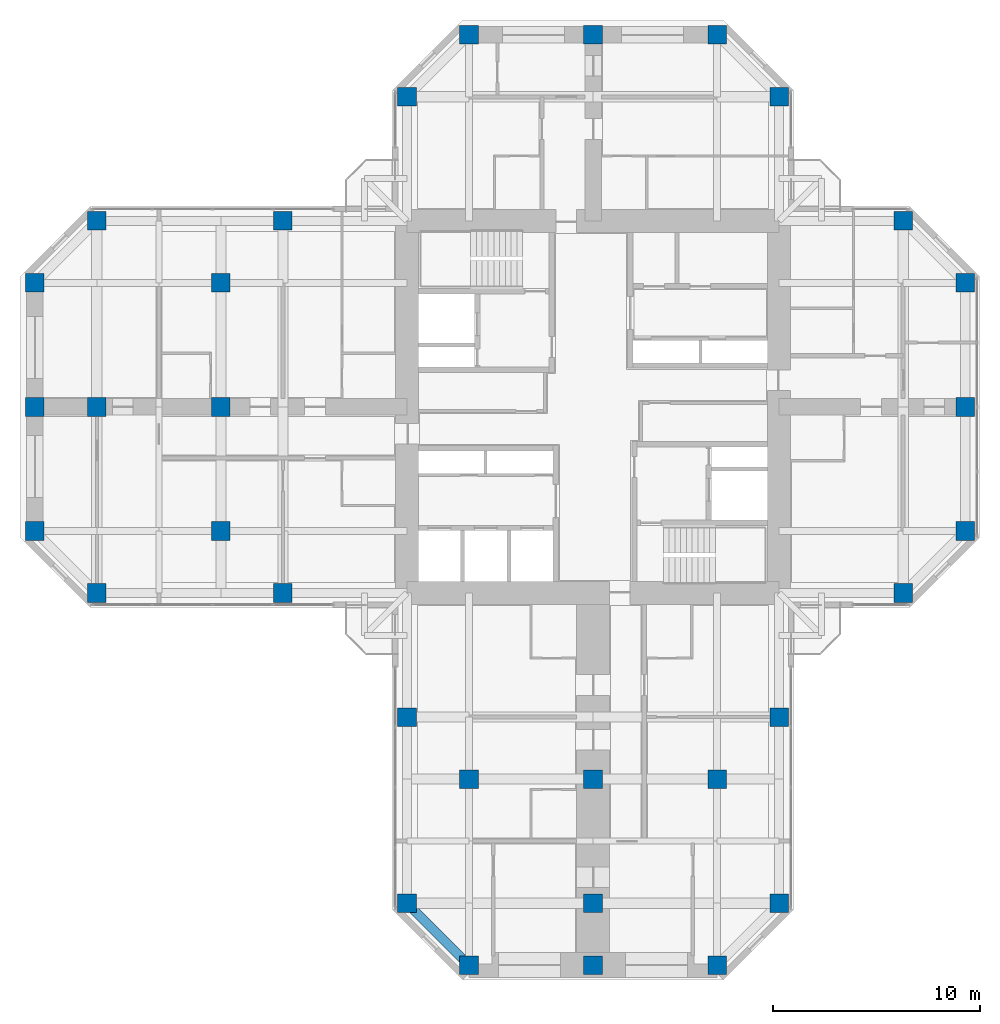
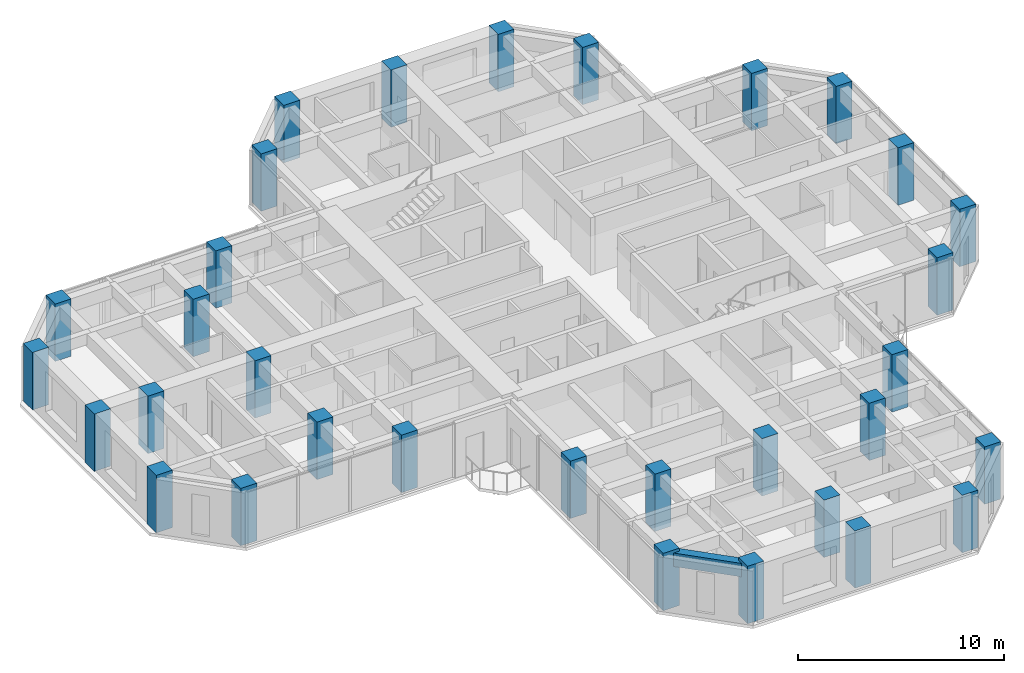
# One storey, part 1 of 14: 32 columns, 1 beam.
"""IFC4 building model written with IfcOpenShell, lengths in metres."""

from ifc_helpers import new_model, si_unit, direction, frame, origin, origin_2d, place, context, subcontext, project, spatial, rectangle, extrude, material, material_profile, profile_set, type_object, element, save


model = new_model("IFC4")

# Units and contexts
model_context = context("Model", 3, precision=1e-05, world=origin(), true_north=direction((0.0, 1.0)))
body_context = subcontext(model_context, "Body", "Model", "MODEL_VIEW")
ifc_project = project(units=[si_unit("LENGTHUNIT", "METRE"), si_unit("AREAUNIT", "SQUARE_METRE"), si_unit("VOLUMEUNIT", "CUBIC_METRE"), si_unit("PLANEANGLEUNIT", "RADIAN"), si_unit("MASSUNIT", "GRAM", prefix="KILO")], contexts=[model_context])

# Site, building, storey
site_placement = place(None, origin())
site = spatial("IfcSite", under=ifc_project, at=site_placement, CompositionType="ELEMENT")
building_placement = place(site_placement, origin())
building = spatial("IfcBuilding", under=site, at=building_placement, Name="Torre Cruceta", CompositionType="ELEMENT")
storey_placement = place(building_placement, frame((0.0, 0.0, 200.10009765625)))
storey = spatial("IfcBuildingStorey", under=building, at=storey_placement, Name="L50", CompositionType="ELEMENT", Elevation=200.10009765625)

# Columns
ifc_material_1 = material(Name="Concrete G60 (fck 60 MPa)", Category="concrete")
ifc_material_profile_1 = material_profile(ifc_material_1, rectangle(XDim=0.89990234375, YDim=0.89990234375, at=origin_2d()), Name="RC 900X900")
ifc_profile_set_1 = profile_set([ifc_material_profile_1], Name="Concrete G60 (fck 60 MPa)")
column_type = type_object("IfcColumnType", Name="COLUMN RC 900X900", PredefinedType="COLUMN", material=ifc_profile_set_1)
for number, where, z_axis, x_axis, name in (
    (1, (9.0, 15.0, 0.0), (0.0, 0.0, 1.0), (1.0, 0.0, 0.0), "C6 L50 N chamfer"),
    (2, (-9.0, 15.0, 0.0), (0.0, 0.0, 1.0), (1.0, 0.0, 0.0), "C6 L50 N chamfer"),
    (3, (6.0, 18.0, 0.0), (0.0, 0.0, 1.0), (1.0, 0.0, 0.0), "C6 L50 N tip"),
    (4, (0.0, 18.0, 0.0), (0.0, 0.0, 1.0), (1.0, 0.0, 0.0), "C6 L50 N tip"),
    (5, (-6.0, 18.0, 0.0), (0.0, 0.0, 1.0), (1.0, 0.0, 0.0), "C6 L50 N tip"),
    (6, (15.0, -9.0, 0.0), (0.0, 0.0, 1.0), (1.0, 0.0, 0.0), "C6 L50 E chamfer"),
    (7, (15.0, 9.0, 0.0), (0.0, 0.0, 1.0), (1.0, 0.0, 0.0), "C6 L50 E chamfer"),
    (8, (18.0, -6.0, 0.0), (0.0, 0.0, 1.0), (1.0, 0.0, 0.0), "C6 L50 E tip"),
    (9, (18.0, 0.0, 0.0), (0.0, 0.0, 1.0), (1.0, 0.0, 0.0), "C6 L50 E tip"),
    (10, (18.0, 6.0, 0.0), (0.0, 0.0, 1.0), (1.0, 0.0, 0.0), "C6 L50 E tip"),
    (11, (-9.0, -15.0, 0.0), (0.0, 0.0, 1.0), (1.0, 0.0, 0.0), "C6 L50 S side"),
    (12, (-9.0, -24.0, 0.0), (0.0, 0.0, 1.0), (1.0, 0.0, 0.0), "C6 L50 S chamfer"),
    (13, (9.0, -15.0, 0.0), (0.0, 0.0, 1.0), (1.0, 0.0, 0.0), "C6 L50 S side"),
    (14, (9.0, -24.0, 0.0), (0.0, 0.0, 1.0), (1.0, 0.0, 0.0), "C6 L50 S chamfer"),
    (15, (-6.0, -27.0, 0.0), (0.0, 0.0, 1.0), (1.0, 0.0, 0.0), "C6 L50 S tip"),
    (16, (0.0, -27.0, 0.0), (0.0, 0.0, 1.0), (1.0, 0.0, 0.0), "C6 L50 S tip"),
    (17, (6.0, -27.0, 0.0), (0.0, 0.0, 1.0), (1.0, 0.0, 0.0), "C6 L50 S tip"),
    (18, (-15.0, 9.0, 0.0), (0.0, 0.0, 1.0), (1.0, 0.0, 0.0), "C6 L50 W side"),
    (19, (-24.0, 9.0, 0.0), (0.0, 0.0, 1.0), (1.0, 0.0, 0.0), "C6 L50 W chamfer"),
    (20, (-15.0, -9.0, 0.0), (0.0, 0.0, 1.0), (1.0, 0.0, 0.0), "C6 L50 W side"),
    (21, (-24.0, -9.0, 0.0), (0.0, 0.0, 1.0), (1.0, 0.0, 0.0), "C6 L50 W chamfer"),
    (22, (-27.0, 6.0, 0.0), (0.0, 0.0, 1.0), (1.0, 0.0, 0.0), "C6 L50 W tip"),
    (23, (-27.0, 0.0, 0.0), (0.0, 0.0, 1.0), (1.0, 0.0, 0.0), "C6 L50 W tip"),
    (24, (-27.0, -6.0, 0.0), (0.0, 0.0, 1.0), (1.0, 0.0, 0.0), "C6 L50 W tip"),
    (25, (-6.0, -18.0, 0.0), (0.0, 0.0, 1.0), (1.0, 0.0, 0.0), "C6 L50 S interior"),
    (26, (0.0, -18.0, 0.0), (0.0, 0.0, 1.0), (1.0, 0.0, 0.0), "C6 L50 S interior"),
    (27, (6.0, -18.0, 0.0), (0.0, 0.0, 1.0), (1.0, 0.0, 0.0), "C6 L50 S interior"),
    (28, (0.0, -24.0, 0.0), (0.0, 0.0, 1.0), (1.0, 0.0, 0.0), "C6 L50 S interior"),
    (29, (-18.0, 6.0, 0.0), (0.0, 0.0, 1.0), (1.0, 0.0, 0.0), "C6 L50 W interior"),
    (30, (-18.0, 0.0, 0.0), (0.0, 0.0, 1.0), (1.0, 0.0, 0.0), "C6 L50 W interior"),
    (31, (-18.0, -6.0, 0.0), (0.0, 0.0, 1.0), (1.0, 0.0, 0.0), "C6 L50 W interior"),
    (32, (-24.0, 0.0, 0.0), (0.0, 0.0, 1.0), (1.0, 0.0, 0.0), "C6 L50 W interior"),
):
    element("IfcColumn", number, at=place(storey_placement, frame(where, z_axis=z_axis, x_axis=x_axis)), inside=storey, type_object=column_type, Name=name, PredefinedType="COLUMN", context=body_context, shape_type="SweptSolid", body=[
        extrude(rectangle(XDim=0.89990234375, YDim=0.89990234375, at=origin_2d()), origin(), (0.0, 0.0, 1.0), 3.39990234375),
    ])

# Beam
ifc_material_2 = material(Name="Concrete G60 (fck 60 MPa)", Category="concrete")
ifc_material_profile_2 = material_profile(ifc_material_2, rectangle(XDim=0.449951171875, YDim=0.800048828125, at=origin_2d()), Name="RC 450X800")
ifc_profile_set_2 = profile_set([ifc_material_profile_2], Name="Concrete G60 (fck 60 MPa)")
beam_type = type_object("IfcBeamType", Name="SPANDREL BEAM RC 450X800", PredefinedType="SPANDREL", material=ifc_profile_set_2)
beam_placement = place(storey_placement, frame((-9.0, -24.0, 2.81982421875), z_axis=(0.707106781187, -0.707106781187, 0.0), x_axis=(0.707106781187, 0.707106781187, 0.0)))
element("IfcBeam", 33, at=beam_placement, inside=storey, type_object=beam_type, Name="SB6 L50 S side- 5", PredefinedType="SPANDREL", context=body_context, shape_type="SweptSolid", body=[
    extrude(rectangle(XDim=0.449951171875, YDim=0.800048828125, at=origin_2d()), origin(), (0.0, 0.0, 1.0), 4.24267578125),
])

save(model, "model.ifc")
